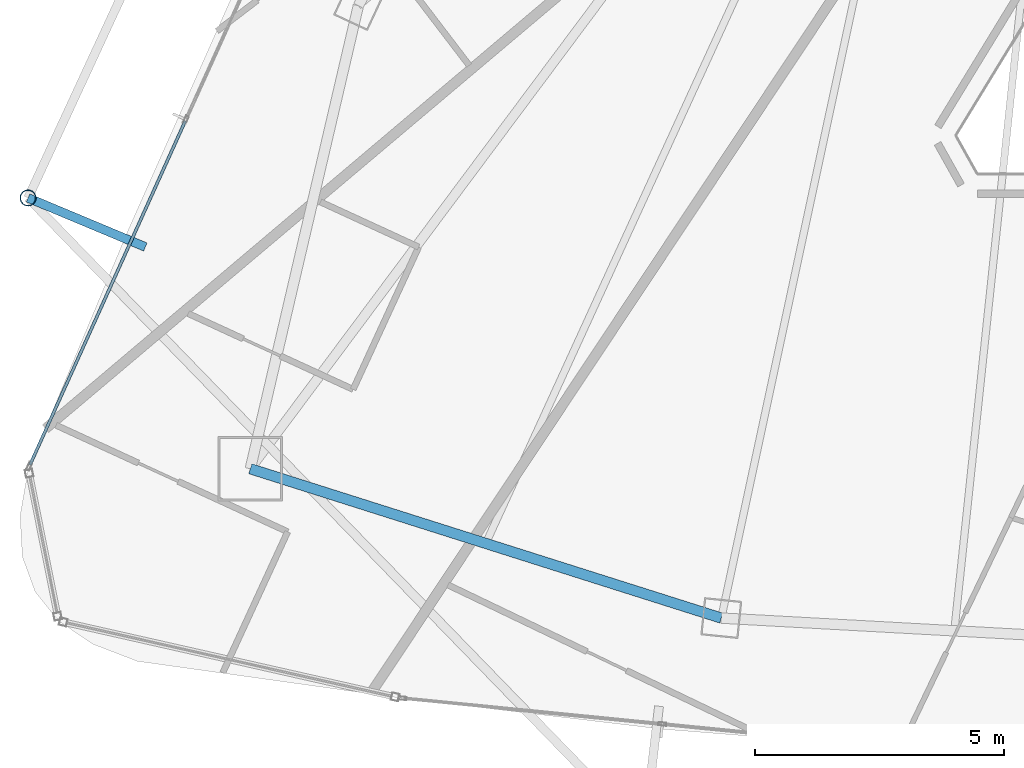
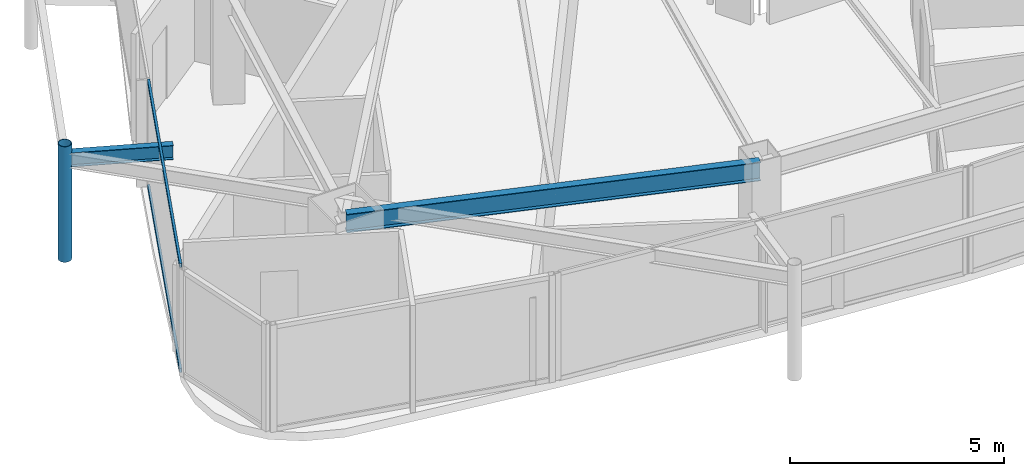
# One storey, part 5 of 33: 3 members, 2 beams, 1 element without a shape of its own.
"""IFC4 building model written with IfcOpenShell, lengths in metres."""

from ifc_helpers import new_model, si_unit, direction, frame, origin, origin_2d, place, context, subcontext, project, spatial, hollow_rectangle, hollow_circle, i_section, extrude, material, layer, layer_set, material_profile, profile_set, type_object, element, aggregate, save


model = new_model("IFC4")

# Units and contexts
model_context = context("Model", 3, precision=1e-05, world=origin(), true_north=direction((0.0, 1.0)))
body_context = subcontext(model_context, "Body", "Model", "MODEL_VIEW")
ifc_project = project(units=[si_unit("LENGTHUNIT", "METRE"), si_unit("AREAUNIT", "SQUARE_METRE"), si_unit("VOLUMEUNIT", "CUBIC_METRE"), si_unit("PLANEANGLEUNIT", "RADIAN"), si_unit("MASSUNIT", "GRAM", prefix="KILO")], contexts=[model_context])

# Site, building, storey
site_placement = place(None, origin())
site = spatial("IfcSite", under=ifc_project, at=site_placement, CompositionType="ELEMENT")
building_placement = place(site_placement, origin())
building = spatial("IfcBuilding", under=site, at=building_placement, Name="Orvanel Arch Residences", CompositionType="ELEMENT")
storey_placement = place(building_placement, frame((0.0, 0.0, 209.60009765625)))
storey = spatial("IfcBuildingStorey", under=building, at=storey_placement, Name="L59", CompositionType="ELEMENT", Elevation=209.60009765625)

# Beams
ifc_material_1 = material(Name="Structural steel AS/NZS 3679.1 Grade 300 (300 MPa)", Category="steel")
ifc_material_profile_1 = material_profile(ifc_material_1, i_section(OverallWidth=0.177978515625, OverallDepth=0.406005859375, WebThickness=0.0078125, FlangeThickness=0.0126953125, at=origin_2d()), Name="410UB59.7")
ifc_profile_set_1 = profile_set([ifc_material_profile_1], Name="Structural steel AS/NZS 3679.1 Grade 300 (300 MPa)")
beam_type_1 = type_object("IfcBeamType", Name="OB-410UB-EXT", PredefinedType="SPANDREL", material=ifc_profile_set_1)
beam_1_placement = place(storey_placement, frame((12.093017578125, 14.801025390625, 2.85693359375), z_axis=(-0.922594744226, 0.385770576803, 0.0), x_axis=(-0.385770576803, -0.922594744226, 0.0)))
element("IfcBeam", 1, at=beam_1_placement, inside=storey, type_object=beam_type_1, Name="L59 Outer Frame Radial Tie Beam 04", PredefinedType="SPANDREL", context=body_context, shape_type="SweptSolid", body=[
    extrude(i_section(OverallWidth=0.177978515625, OverallDepth=0.406005859375, WebThickness=0.0078125, FlangeThickness=0.0126953125, at=origin_2d()), origin(), (0.0, 0.0, 1.0), 2.550537109375),
])
ifc_material_profile_2 = material_profile(ifc_material_1, i_section(OverallWidth=0.208984375, OverallDepth=0.532958984375, WebThickness=0.01025390625, FlangeThickness=0.015625, at=origin_2d()), Name="530UB92.4")
ifc_profile_set_2 = profile_set([ifc_material_profile_2], Name="Structural steel AS/NZS 3679.1 Grade 300 (300 MPa)")
beam_type_2 = type_object("IfcBeamType", Name="SP-530UB", PredefinedType="SPANDREL", material=ifc_profile_set_2)
beam_2_placement = place(storey_placement, frame((14.198974609375, 10.35107421875, 2.79296875), z_axis=(0.953237386592, -0.302222574941, 0.0), x_axis=(0.302222574941, 0.953237386592, 0.0)))
element("IfcBeam", 2, at=beam_2_placement, inside=storey, type_object=beam_type_2, Name="L59 Perimeter Spandrel Beam 02", PredefinedType="SPANDREL", context=body_context, shape_type="SweptSolid", body=[
    extrude(i_section(OverallWidth=0.208984375, OverallDepth=0.532958984375, WebThickness=0.01025390625, FlangeThickness=0.015625, at=origin_2d()), origin(), (0.0, 0.0, 1.0), 9.91357421875),
])

# Member
ifc_material_2 = material(Name="Structural steel AS/NZS 1163 C350L0 (Grade 350)", Category="steel")
ifc_material_profile_3 = material_profile(ifc_material_2, hollow_circle(Radius=0.162109375, WallThickness=0.0126953125, at=origin_2d()), Name="CHS324x12.7")
ifc_profile_set_3 = profile_set([ifc_material_profile_3], Name="Structural steel AS/NZS 1163 C350L0 (Grade 350)")
member_type_1 = type_object("IfcMemberType", Name="ST-324CHS-EXT", PredefinedType="STRUT", material=ifc_profile_set_3)
member_1_placement = place(storey_placement, frame((9.739990234375, 15.784912109375, 0.0), z_axis=(0.0, 0.0, 1.0), x_axis=(1.0, 0.0, 0.0)))
element("IfcMember", 3, at=member_1_placement, inside=storey, type_object=member_type_1, Name="L59 Outer Perimeter Frame Post 04", PredefinedType="STRUT", context=body_context, shape_type="SweptSolid", body=[
    extrude(hollow_circle(Radius=0.162109375, WallThickness=0.0126953125, at=origin_2d()), origin(), (0.0, 0.0, 1.0), 3.2998046875),
])

# Curtain wall, members
ifc_material_3 = material(Name="Bronze-anodised aluminium AA6063-T6", Category="aluminium")
ifc_layer = layer(ifc_material_3, 0.175048828125)
ifc_layer_set = layer_set([ifc_layer], Name="Bronze-anodised aluminium AA6063-T6")
curtain_wall_type = type_object("IfcCurtainWallType", Name="CW4-HI-SYS", PredefinedType="NOTDEFINED", material=ifc_layer_set)
curtain_wall_placement = place(storey_placement, origin())
curtain_wall = element("IfcCurtainWall", 4, at=curtain_wall_placement, inside=storey, type_object=curtain_wall_type, Name="L59 CW4-HI-SYS Unitised Curtain Wall", PredefinedType="NOTDEFINED")
ifc_material_profile_4 = material_profile(ifc_material_3, hollow_rectangle(XDim=0.06005859375, YDim=0.1201171875, WallThickness=0.00341796875, at=origin_2d()), Name="ALU120x60x3.5")
ifc_profile_set_4 = profile_set([ifc_material_profile_4], Name="Bronze-anodised aluminium AA6063-T6")
member_type_2 = type_object("IfcMemberType", Name="TRN-120x60", PredefinedType="USERDEFINED", material=ifc_profile_set_4)
member_2_placement = place(storey_placement, frame((12.892578125, 17.326416015625, 0.02978515625), z_axis=(-0.411514102844, -0.911403392116, 0.0), x_axis=(0.911403392116, -0.411514102844, 0.0)))
member_2 = element("IfcMember", 5, at=member_2_placement, type_object=member_type_2, Name="CW-S4 transom 2.1", ObjectType="TRANSOM", PredefinedType="USERDEFINED", context=body_context, shape_type="SweptSolid", body=[
    extrude(hollow_rectangle(XDim=0.06005859375, YDim=0.1201171875, WallThickness=0.00341796875, at=origin_2d()), origin(), (0.0, 0.0, 1.0), 7.566650390625),
])
member_3_placement = place(storey_placement, frame((12.892578125, 17.326416015625, 3.02978515625), z_axis=(-0.411514102844, -0.911403392116, 0.0), x_axis=(0.911403392116, -0.411514102844, 0.0)))
member_3 = element("IfcMember", 6, at=member_3_placement, type_object=member_type_2, Name="CW-S4 transom 2.2", ObjectType="TRANSOM", PredefinedType="USERDEFINED", context=body_context, shape_type="SweptSolid", body=[
    extrude(hollow_rectangle(XDim=0.06005859375, YDim=0.1201171875, WallThickness=0.00341796875, at=origin_2d()), origin(), (0.0, 0.0, 1.0), 7.566650390625),
])
aggregate(curtain_wall, [member_2, member_3])

save(model, "model.ifc")
